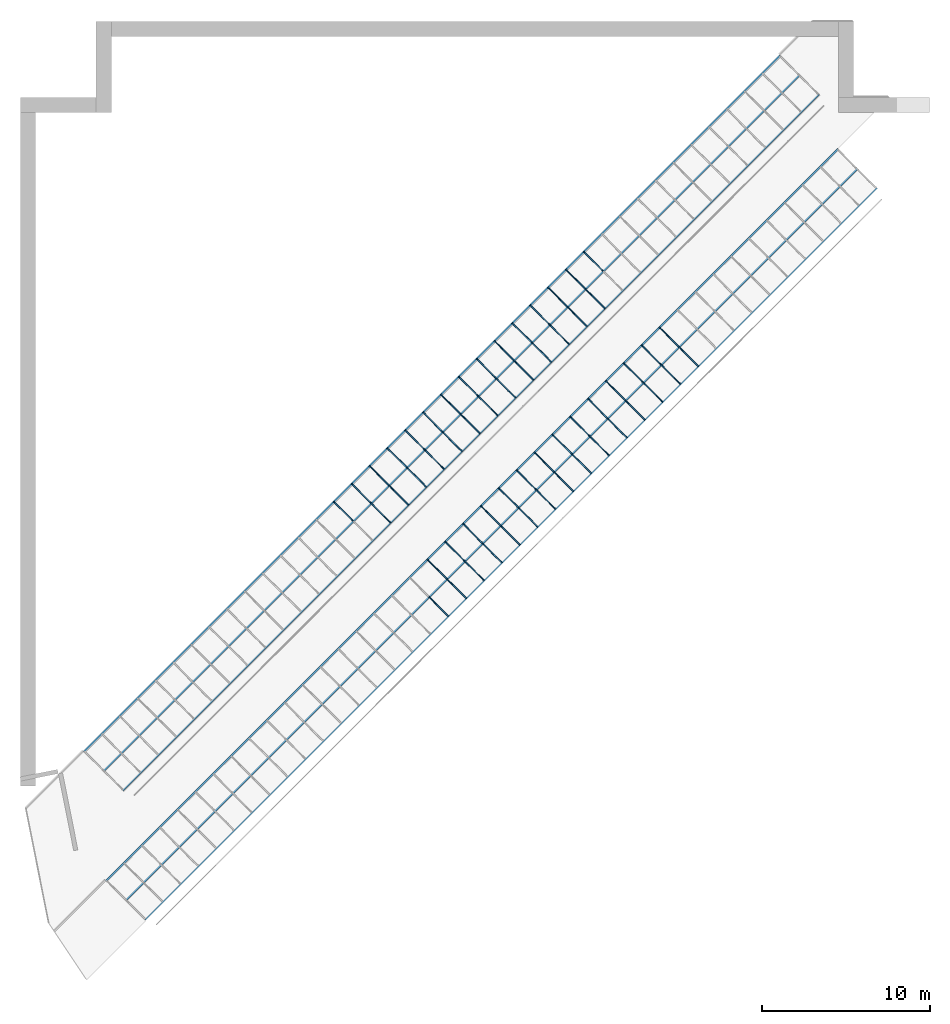
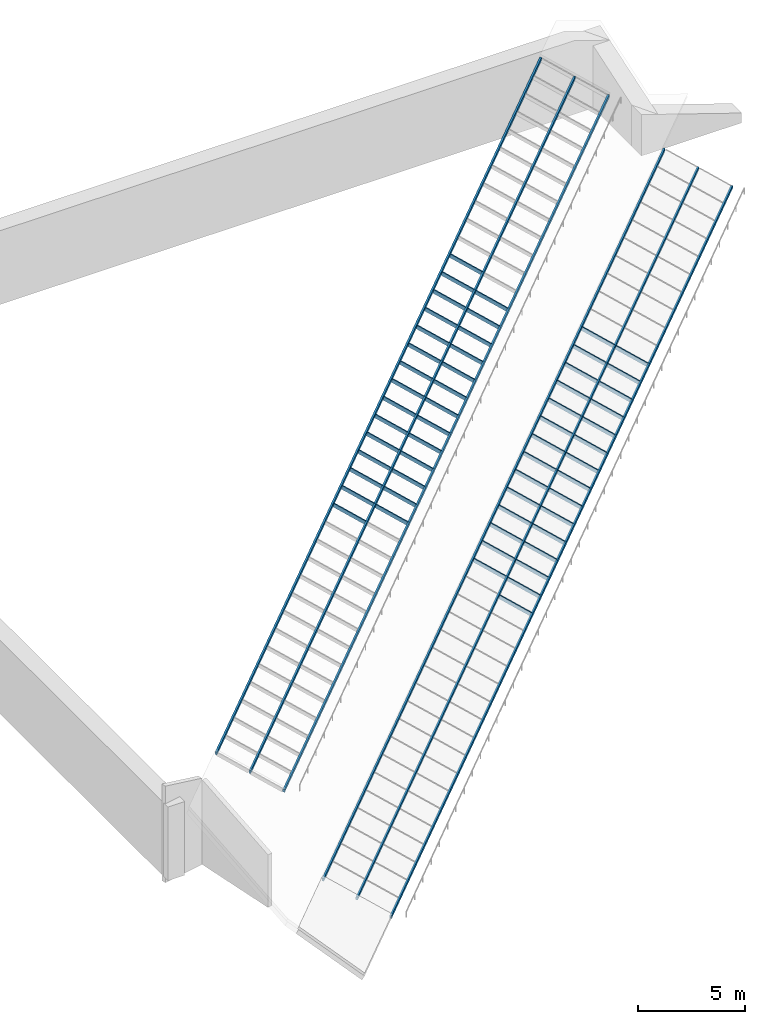
# One storey, part 2 of 7: 63 members, 2 elements without a shape of their own.
"""IFC4 building model written with IfcOpenShell, lengths in metres."""

from ifc_helpers import new_model, si_unit, direction, frame, origin, origin_2d, place, context, subcontext, project, spatial, rectangle, extrude, material, material_profile, profile_set, type_object, element, aggregate, save


model = new_model("IFC4")

# Units and contexts
model_context = context("Model", 3, precision=1e-05, world=origin(), true_north=direction((0.0, 1.0)))
body_context = subcontext(model_context, "Body", "Model", "MODEL_VIEW")
ifc_project = project(units=[si_unit("LENGTHUNIT", "METRE"), si_unit("AREAUNIT", "SQUARE_METRE"), si_unit("VOLUMEUNIT", "CUBIC_METRE"), si_unit("PLANEANGLEUNIT", "RADIAN"), si_unit("MASSUNIT", "GRAM", prefix="KILO")], contexts=[model_context])

# Site, building, storey
site_placement = place(None, origin())
site = spatial("IfcSite", under=ifc_project, at=site_placement, CompositionType="ELEMENT")
building_placement = place(site_placement, origin())
building = spatial("IfcBuilding", under=site, at=building_placement, Name="Hunhe Ridgeline Campus", CompositionType="ELEMENT")
storey_placement = place(building_placement, frame((0.0, 0.0, 315.60009765625)))
storey = spatial("IfcBuildingStorey", under=building, at=storey_placement, Name="L81 Crown", CompositionType="ELEMENT", Elevation=315.60009765625)

# Curtain wall, members
ifc_material = material(Name="Aluminium 6063", Category="aluminium")
curtain_wall_type = type_object("IfcCurtainWallType", Name="Curtain wall CW-6", PredefinedType="NOTDEFINED", material=ifc_material)
curtain_wall_1_placement = place(storey_placement, origin())
curtain_wall_1 = element("IfcCurtainWall", 1, at=curtain_wall_1_placement, inside=storey, type_object=curtain_wall_type, Name="Rooflight 3", PredefinedType="NOTDEFINED")
ifc_material_profile_1 = material_profile(ifc_material, rectangle(XDim=0.070068359375, YDim=0.199951171875, at=origin_2d()))
ifc_profile_set_1 = profile_set([ifc_material_profile_1], Name="Aluminium 6063")
member_type_1 = type_object("IfcMemberType", Name="CW-6 aluminium mullion", PredefinedType="MULLION", material=ifc_profile_set_1)
member_1_placement = place(storey_placement, frame((40.2353515625, 78.55859375, 0.1708984375), z_axis=(-0.639602149067, 0.639602149067, 0.426401432711), x_axis=(-0.707106781187, -0.707106781187, 0.0)))
member_1 = element("IfcMember", 2, at=member_1_placement, type_object=member_type_1, Name="E-L81 Crown-RL-03/M0-10", PredefinedType="MULLION", context=body_context, shape_type="SweptSolid", body=[
    extrude(rectangle(XDim=0.070068359375, YDim=0.199951171875, at=origin_2d()), origin(), (0.0, 0.0, 1.0), 1.693603515625),
])
member_2_placement = place(storey_placement, frame((39.1748046875, 77.497802734375, 0.1708984375), z_axis=(-0.639602149067, 0.639602149067, 0.426401432711), x_axis=(-0.707106781187, -0.707106781187, 0.0)))
member_2 = element("IfcMember", 3, at=member_2_placement, type_object=member_type_1, Name="E-L81 Crown-RL-03/M0-11", PredefinedType="MULLION", context=body_context, shape_type="SweptSolid", body=[
    extrude(rectangle(XDim=0.070068359375, YDim=0.199951171875, at=origin_2d()), origin(), (0.0, 0.0, 1.0), 1.693603515625),
])
member_3_placement = place(storey_placement, frame((38.114013671875, 76.437255859375, 0.1708984375), z_axis=(-0.639602149067, 0.639602149067, 0.426401432711), x_axis=(-0.707106781187, -0.707106781187, 0.0)))
member_3 = element("IfcMember", 4, at=member_3_placement, type_object=member_type_1, Name="E-L81 Crown-RL-03/M0-12", PredefinedType="MULLION", context=body_context, shape_type="SweptSolid", body=[
    extrude(rectangle(XDim=0.070068359375, YDim=0.199951171875, at=origin_2d()), origin(), (0.0, 0.0, 1.0), 1.693603515625),
])
member_4_placement = place(storey_placement, frame((37.053466796875, 75.37646484375, 0.1708984375), z_axis=(-0.639602149067, 0.639602149067, 0.426401432711), x_axis=(-0.707106781187, -0.707106781187, 0.0)))
member_4 = element("IfcMember", 5, at=member_4_placement, type_object=member_type_1, Name="E-L81 Crown-RL-03/M0-13", PredefinedType="MULLION", context=body_context, shape_type="SweptSolid", body=[
    extrude(rectangle(XDim=0.070068359375, YDim=0.199951171875, at=origin_2d()), origin(), (0.0, 0.0, 1.0), 1.693603515625),
])
member_5_placement = place(storey_placement, frame((35.992919921875, 74.31591796875, 0.1708984375), z_axis=(-0.639687317978, 0.63954317933, 0.426362119554), x_axis=(-0.707027102695, -0.707186450701, 0.0)))
member_5 = element("IfcMember", 6, at=member_5_placement, type_object=member_type_1, Name="E-L81 Crown-RL-03/M0-14", PredefinedType="MULLION", context=body_context, shape_type="SweptSolid", body=[
    extrude(rectangle(XDim=0.070068359375, YDim=0.199951171875, at=origin_2d()), origin(), (0.0, 0.0, 1.0), 1.69384765625),
])
member_6_placement = place(storey_placement, frame((34.93212890625, 73.255126953125, 0.1708984375), z_axis=(-0.639602149067, 0.639602149067, 0.426401432711), x_axis=(-0.707106781187, -0.707106781187, 0.0)))
member_6 = element("IfcMember", 7, at=member_6_placement, type_object=member_type_1, Name="E-L81 Crown-RL-03/M0-15", PredefinedType="MULLION", context=body_context, shape_type="SweptSolid", body=[
    extrude(rectangle(XDim=0.070068359375, YDim=0.199951171875, at=origin_2d()), origin(), (0.0, 0.0, 1.0), 1.693603515625),
])
member_7_placement = place(storey_placement, frame((33.87158203125, 72.194580078125, 0.1708984375), z_axis=(-0.639602149067, 0.639602149067, 0.426401432711), x_axis=(-0.707106781187, -0.707106781187, 0.0)))
member_7 = element("IfcMember", 8, at=member_7_placement, type_object=member_type_1, Name="E-L81 Crown-RL-03/M0-16", PredefinedType="MULLION", context=body_context, shape_type="SweptSolid", body=[
    extrude(rectangle(XDim=0.070068359375, YDim=0.199951171875, at=origin_2d()), origin(), (0.0, 0.0, 1.0), 1.693603515625),
])
member_8_placement = place(storey_placement, frame((32.810791015625, 71.1337890625, 0.1708984375), z_axis=(-0.639602149067, 0.639602149067, 0.426401432711), x_axis=(-0.707106781187, -0.707106781187, 0.0)))
member_8 = element("IfcMember", 9, at=member_8_placement, type_object=member_type_1, Name="E-L81 Crown-RL-03/M0-17", PredefinedType="MULLION", context=body_context, shape_type="SweptSolid", body=[
    extrude(rectangle(XDim=0.070068359375, YDim=0.199951171875, at=origin_2d()), origin(), (0.0, 0.0, 1.0), 1.693603515625),
])
member_9_placement = place(storey_placement, frame((31.750244140625, 70.0732421875, 0.1708984375), z_axis=(-0.639602149067, 0.639602149067, 0.426401432711), x_axis=(-0.707106781187, -0.707106781187, 0.0)))
member_9 = element("IfcMember", 10, at=member_9_placement, type_object=member_type_1, Name="E-L81 Crown-RL-03/M0-18", PredefinedType="MULLION", context=body_context, shape_type="SweptSolid", body=[
    extrude(rectangle(XDim=0.070068359375, YDim=0.199951171875, at=origin_2d()), origin(), (0.0, 0.0, 1.0), 1.693603515625),
])
member_10_placement = place(storey_placement, frame((30.689453125, 69.012451171875, 0.1708984375), z_axis=(-0.63954317933, 0.639687317978, 0.426362119554), x_axis=(-0.707186450701, -0.707027102695, 0.0)))
member_10 = element("IfcMember", 11, at=member_10_placement, type_object=member_type_1, Name="E-L81 Crown-RL-03/M0-19", PredefinedType="MULLION", context=body_context, shape_type="SweptSolid", body=[
    extrude(rectangle(XDim=0.070068359375, YDim=0.199951171875, at=origin_2d()), origin(), (0.0, 0.0, 1.0), 1.69384765625),
])
member_11_placement = place(storey_placement, frame((29.62890625, 67.951904296875, 0.1708984375), z_axis=(-0.639602149067, 0.639602149067, 0.426401432711), x_axis=(-0.707106781187, -0.707106781187, 0.0)))
member_11 = element("IfcMember", 12, at=member_11_placement, type_object=member_type_1, Name="E-L81 Crown-RL-03/M0-20", PredefinedType="MULLION", context=body_context, shape_type="SweptSolid", body=[
    extrude(rectangle(XDim=0.070068359375, YDim=0.199951171875, at=origin_2d()), origin(), (0.0, 0.0, 1.0), 1.693603515625),
])
member_12_placement = place(storey_placement, frame((28.568115234375, 66.89111328125, 0.1708984375), z_axis=(-0.63954317933, 0.639687317978, 0.426362119554), x_axis=(-0.707186450701, -0.707027102695, 0.0)))
member_12 = element("IfcMember", 13, at=member_12_placement, type_object=member_type_1, Name="E-L81 Crown-RL-03/M0-21", PredefinedType="MULLION", context=body_context, shape_type="SweptSolid", body=[
    extrude(rectangle(XDim=0.070068359375, YDim=0.199951171875, at=origin_2d()), origin(), (0.0, 0.0, 1.0), 1.69384765625),
])
member_13_placement = place(storey_placement, frame((27.507568359375, 65.83056640625, 0.1708984375), z_axis=(-0.639602149067, 0.639602149067, 0.426401432711), x_axis=(-0.707106781187, -0.707106781187, 0.0)))
member_13 = element("IfcMember", 14, at=member_13_placement, type_object=member_type_1, Name="E-L81 Crown-RL-03/M0-22", PredefinedType="MULLION", context=body_context, shape_type="SweptSolid", body=[
    extrude(rectangle(XDim=0.070068359375, YDim=0.199951171875, at=origin_2d()), origin(), (0.0, 0.0, 1.0), 1.693603515625),
])
member_14_placement = place(storey_placement, frame((26.44677734375, 64.77001953125, 0.1708984375), z_axis=(-0.639602149067, 0.639602149067, 0.426401432711), x_axis=(-0.707106781187, -0.707106781187, 0.0)))
member_14 = element("IfcMember", 15, at=member_14_placement, type_object=member_type_1, Name="E-L81 Crown-RL-03/M0-23", PredefinedType="MULLION", context=body_context, shape_type="SweptSolid", body=[
    extrude(rectangle(XDim=0.070068359375, YDim=0.199951171875, at=origin_2d()), origin(), (0.0, 0.0, 1.0), 1.693603515625),
])
member_15_placement = place(storey_placement, frame((25.38623046875, 63.709228515625, 0.1708984375), z_axis=(-0.639602149067, 0.639602149067, 0.426401432711), x_axis=(-0.707106781187, -0.707106781187, 0.0)))
member_15 = element("IfcMember", 16, at=member_15_placement, type_object=member_type_1, Name="E-L81 Crown-RL-03/M0-24", PredefinedType="MULLION", context=body_context, shape_type="SweptSolid", body=[
    extrude(rectangle(XDim=0.070068359375, YDim=0.199951171875, at=origin_2d()), origin(), (0.0, 0.0, 1.0), 1.693603515625),
])
member_16_placement = place(storey_placement, frame((39.08154296875, 79.71240234375, 0.9404296875), z_axis=(-0.639602149067, 0.639602149067, 0.426401432711), x_axis=(-0.707106781187, -0.707106781187, 0.0)))
member_16 = element("IfcMember", 17, at=member_16_placement, type_object=member_type_1, Name="E-L81 Crown-RL-03/M1-10", PredefinedType="MULLION", context=body_context, shape_type="SweptSolid", body=[
    extrude(rectangle(XDim=0.070068359375, YDim=0.199951171875, at=origin_2d()), origin(), (0.0, 0.0, 1.0), 1.693603515625),
])
member_17_placement = place(storey_placement, frame((38.020751953125, 78.65185546875, 0.9404296875), z_axis=(-0.639602149067, 0.639602149067, 0.426401432711), x_axis=(-0.707106781187, -0.707106781187, 0.0)))
member_17 = element("IfcMember", 18, at=member_17_placement, type_object=member_type_1, Name="E-L81 Crown-RL-03/M1-11", PredefinedType="MULLION", context=body_context, shape_type="SweptSolid", body=[
    extrude(rectangle(XDim=0.070068359375, YDim=0.199951171875, at=origin_2d()), origin(), (0.0, 0.0, 1.0), 1.693603515625),
])
member_18_placement = place(storey_placement, frame((36.960205078125, 77.591064453125, 0.9404296875), z_axis=(-0.639602149067, 0.639602149067, 0.426401432711), x_axis=(-0.707106781187, -0.707106781187, 0.0)))
member_18 = element("IfcMember", 19, at=member_18_placement, type_object=member_type_1, Name="E-L81 Crown-RL-03/M1-12", PredefinedType="MULLION", context=body_context, shape_type="SweptSolid", body=[
    extrude(rectangle(XDim=0.070068359375, YDim=0.199951171875, at=origin_2d()), origin(), (0.0, 0.0, 1.0), 1.693603515625),
])
member_19_placement = place(storey_placement, frame((35.8994140625, 76.530517578125, 0.9404296875), z_axis=(-0.639602149067, 0.639602149067, 0.426401432711), x_axis=(-0.707106781187, -0.707106781187, 0.0)))
member_19 = element("IfcMember", 20, at=member_19_placement, type_object=member_type_1, Name="E-L81 Crown-RL-03/M1-13", PredefinedType="MULLION", context=body_context, shape_type="SweptSolid", body=[
    extrude(rectangle(XDim=0.070068359375, YDim=0.199951171875, at=origin_2d()), origin(), (0.0, 0.0, 1.0), 1.693603515625),
])
member_20_placement = place(storey_placement, frame((34.8388671875, 75.4697265625, 0.9404296875), z_axis=(-0.63954317933, 0.639687317978, 0.426362119554), x_axis=(-0.707186450701, -0.707027102695, 0.0)))
member_20 = element("IfcMember", 21, at=member_20_placement, type_object=member_type_1, Name="E-L81 Crown-RL-03/M1-14", PredefinedType="MULLION", context=body_context, shape_type="SweptSolid", body=[
    extrude(rectangle(XDim=0.070068359375, YDim=0.199951171875, at=origin_2d()), origin(), (0.0, 0.0, 1.0), 1.69384765625),
])
member_21_placement = place(storey_placement, frame((33.778076171875, 74.4091796875, 0.9404296875), z_axis=(-0.639602149067, 0.639602149067, 0.426401432711), x_axis=(-0.707106781187, -0.707106781187, 0.0)))
member_21 = element("IfcMember", 22, at=member_21_placement, type_object=member_type_1, Name="E-L81 Crown-RL-03/M1-15", PredefinedType="MULLION", context=body_context, shape_type="SweptSolid", body=[
    extrude(rectangle(XDim=0.070068359375, YDim=0.199951171875, at=origin_2d()), origin(), (0.0, 0.0, 1.0), 1.693603515625),
])
member_22_placement = place(storey_placement, frame((32.717529296875, 73.3486328125, 0.9404296875), z_axis=(-0.639602149067, 0.639602149067, 0.426401432711), x_axis=(-0.707106781187, -0.707106781187, 0.0)))
member_22 = element("IfcMember", 23, at=member_22_placement, type_object=member_type_1, Name="E-L81 Crown-RL-03/M1-16", PredefinedType="MULLION", context=body_context, shape_type="SweptSolid", body=[
    extrude(rectangle(XDim=0.070068359375, YDim=0.199951171875, at=origin_2d()), origin(), (0.0, 0.0, 1.0), 1.693603515625),
])
member_23_placement = place(storey_placement, frame((31.65673828125, 72.287841796875, 0.9404296875), z_axis=(-0.639602149067, 0.639602149067, 0.426401432711), x_axis=(-0.707106781187, -0.707106781187, 0.0)))
member_23 = element("IfcMember", 24, at=member_23_placement, type_object=member_type_1, Name="E-L81 Crown-RL-03/M1-17", PredefinedType="MULLION", context=body_context, shape_type="SweptSolid", body=[
    extrude(rectangle(XDim=0.070068359375, YDim=0.199951171875, at=origin_2d()), origin(), (0.0, 0.0, 1.0), 1.693603515625),
])
member_24_placement = place(storey_placement, frame((30.59619140625, 71.227294921875, 0.9404296875), z_axis=(-0.639602149067, 0.639602149067, 0.426401432711), x_axis=(-0.707106781187, -0.707106781187, 0.0)))
member_24 = element("IfcMember", 25, at=member_24_placement, type_object=member_type_1, Name="E-L81 Crown-RL-03/M1-18", PredefinedType="MULLION", context=body_context, shape_type="SweptSolid", body=[
    extrude(rectangle(XDim=0.070068359375, YDim=0.199951171875, at=origin_2d()), origin(), (0.0, 0.0, 1.0), 1.693603515625),
])
member_25_placement = place(storey_placement, frame((29.535400390625, 70.16650390625, 0.9404296875), z_axis=(-0.639602149067, 0.639602149067, 0.426401432711), x_axis=(-0.707106781187, -0.707106781187, 0.0)))
member_25 = element("IfcMember", 26, at=member_25_placement, type_object=member_type_1, Name="E-L81 Crown-RL-03/M1-19", PredefinedType="MULLION", context=body_context, shape_type="SweptSolid", body=[
    extrude(rectangle(XDim=0.070068359375, YDim=0.199951171875, at=origin_2d()), origin(), (0.0, 0.0, 1.0), 1.693603515625),
])
member_26_placement = place(storey_placement, frame((28.474853515625, 69.10595703125, 0.9404296875), z_axis=(-0.639602149067, 0.639602149067, 0.426401432711), x_axis=(-0.707106781187, -0.707106781187, 0.0)))
member_26 = element("IfcMember", 27, at=member_26_placement, type_object=member_type_1, Name="E-L81 Crown-RL-03/M1-20", PredefinedType="MULLION", context=body_context, shape_type="SweptSolid", body=[
    extrude(rectangle(XDim=0.070068359375, YDim=0.199951171875, at=origin_2d()), origin(), (0.0, 0.0, 1.0), 1.693603515625),
])
member_27_placement = place(storey_placement, frame((27.414306640625, 68.045166015625, 0.9404296875), z_axis=(-0.639687317978, 0.63954317933, 0.426362119554), x_axis=(-0.707027102695, -0.707186450701, 0.0)))
member_27 = element("IfcMember", 28, at=member_27_placement, type_object=member_type_1, Name="E-L81 Crown-RL-03/M1-21", PredefinedType="MULLION", context=body_context, shape_type="SweptSolid", body=[
    extrude(rectangle(XDim=0.070068359375, YDim=0.199951171875, at=origin_2d()), origin(), (0.0, 0.0, 1.0), 1.69384765625),
])
member_28_placement = place(storey_placement, frame((26.353515625, 66.984619140625, 0.9404296875), z_axis=(-0.639602149067, 0.639602149067, 0.426401432711), x_axis=(-0.707106781187, -0.707106781187, 0.0)))
member_28 = element("IfcMember", 29, at=member_28_placement, type_object=member_type_1, Name="E-L81 Crown-RL-03/M1-22", PredefinedType="MULLION", context=body_context, shape_type="SweptSolid", body=[
    extrude(rectangle(XDim=0.070068359375, YDim=0.199951171875, at=origin_2d()), origin(), (0.0, 0.0, 1.0), 1.693603515625),
])
member_29_placement = place(storey_placement, frame((25.29296875, 65.923828125, 0.9404296875), z_axis=(-0.639602149067, 0.639602149067, 0.426401432711), x_axis=(-0.707106781187, -0.707106781187, 0.0)))
member_29 = element("IfcMember", 30, at=member_29_placement, type_object=member_type_1, Name="E-L81 Crown-RL-03/M1-23", PredefinedType="MULLION", context=body_context, shape_type="SweptSolid", body=[
    extrude(rectangle(XDim=0.070068359375, YDim=0.199951171875, at=origin_2d()), origin(), (0.0, 0.0, 1.0), 1.693603515625),
])

curtain_wall_2_placement = place(storey_placement, origin())
curtain_wall_2 = element("IfcCurtainWall", 31, at=curtain_wall_2_placement, inside=storey, type_object=curtain_wall_type, Name="Rooflight 4", PredefinedType="NOTDEFINED")
member_30_placement = place(storey_placement, frame((34.6748046875, 81.997802734375, 3.171142578125), z_axis=(-0.639602149067, 0.639602149067, 0.426401432711), x_axis=(-0.707106781187, -0.707106781187, 0.0)))
member_30 = element("IfcMember", 32, at=member_30_placement, type_object=member_type_1, Name="E-L81 Crown-RL-04/M0-12", PredefinedType="MULLION", context=body_context, shape_type="SweptSolid", body=[
    extrude(rectangle(XDim=0.070068359375, YDim=0.199951171875, at=origin_2d()), origin(), (0.0, 0.0, 1.0), 1.693603515625),
])
member_31_placement = place(storey_placement, frame((33.614013671875, 80.937255859375, 3.171142578125), z_axis=(-0.639602149067, 0.639602149067, 0.426401432711), x_axis=(-0.707106781187, -0.707106781187, 0.0)))
member_31 = element("IfcMember", 33, at=member_31_placement, type_object=member_type_1, Name="E-L81 Crown-RL-04/M0-13", PredefinedType="MULLION", context=body_context, shape_type="SweptSolid", body=[
    extrude(rectangle(XDim=0.070068359375, YDim=0.199951171875, at=origin_2d()), origin(), (0.0, 0.0, 1.0), 1.693603515625),
])
member_32_placement = place(storey_placement, frame((32.553466796875, 79.87646484375, 3.171142578125), z_axis=(-0.639602149067, 0.639602149067, 0.426401432711), x_axis=(-0.707106781187, -0.707106781187, 0.0)))
member_32 = element("IfcMember", 34, at=member_32_placement, type_object=member_type_1, Name="E-L81 Crown-RL-04/M0-14", PredefinedType="MULLION", context=body_context, shape_type="SweptSolid", body=[
    extrude(rectangle(XDim=0.070068359375, YDim=0.199951171875, at=origin_2d()), origin(), (0.0, 0.0, 1.0), 1.693603515625),
])
member_33_placement = place(storey_placement, frame((31.492919921875, 78.81591796875, 3.171142578125), z_axis=(-0.639687317978, 0.63954317933, 0.426362119554), x_axis=(-0.707027102695, -0.707186450701, 0.0)))
member_33 = element("IfcMember", 35, at=member_33_placement, type_object=member_type_1, Name="E-L81 Crown-RL-04/M0-15", PredefinedType="MULLION", context=body_context, shape_type="SweptSolid", body=[
    extrude(rectangle(XDim=0.070068359375, YDim=0.199951171875, at=origin_2d()), origin(), (0.0, 0.0, 1.0), 1.69384765625),
])
member_34_placement = place(storey_placement, frame((30.43212890625, 77.755126953125, 3.171142578125), z_axis=(-0.639602149067, 0.639602149067, 0.426401432711), x_axis=(-0.707106781187, -0.707106781187, 0.0)))
member_34 = element("IfcMember", 36, at=member_34_placement, type_object=member_type_1, Name="E-L81 Crown-RL-04/M0-16", PredefinedType="MULLION", context=body_context, shape_type="SweptSolid", body=[
    extrude(rectangle(XDim=0.070068359375, YDim=0.199951171875, at=origin_2d()), origin(), (0.0, 0.0, 1.0), 1.693603515625),
])
member_35_placement = place(storey_placement, frame((29.37158203125, 76.694580078125, 3.171142578125), z_axis=(-0.639602149067, 0.639602149067, 0.426401432711), x_axis=(-0.707106781187, -0.707106781187, 0.0)))
member_35 = element("IfcMember", 37, at=member_35_placement, type_object=member_type_1, Name="E-L81 Crown-RL-04/M0-17", PredefinedType="MULLION", context=body_context, shape_type="SweptSolid", body=[
    extrude(rectangle(XDim=0.070068359375, YDim=0.199951171875, at=origin_2d()), origin(), (0.0, 0.0, 1.0), 1.693603515625),
])
member_36_placement = place(storey_placement, frame((28.310791015625, 75.6337890625, 3.171142578125), z_axis=(-0.639602149067, 0.639602149067, 0.426401432711), x_axis=(-0.707106781187, -0.707106781187, 0.0)))
member_36 = element("IfcMember", 38, at=member_36_placement, type_object=member_type_1, Name="E-L81 Crown-RL-04/M0-18", PredefinedType="MULLION", context=body_context, shape_type="SweptSolid", body=[
    extrude(rectangle(XDim=0.070068359375, YDim=0.199951171875, at=origin_2d()), origin(), (0.0, 0.0, 1.0), 1.693603515625),
])
member_37_placement = place(storey_placement, frame((27.250244140625, 74.5732421875, 3.171142578125), z_axis=(-0.639602149067, 0.639602149067, 0.426401432711), x_axis=(-0.707106781187, -0.707106781187, 0.0)))
member_37 = element("IfcMember", 39, at=member_37_placement, type_object=member_type_1, Name="E-L81 Crown-RL-04/M0-19", PredefinedType="MULLION", context=body_context, shape_type="SweptSolid", body=[
    extrude(rectangle(XDim=0.070068359375, YDim=0.199951171875, at=origin_2d()), origin(), (0.0, 0.0, 1.0), 1.693603515625),
])
member_38_placement = place(storey_placement, frame((26.189453125, 73.512451171875, 3.171142578125), z_axis=(-0.63954317933, 0.639687317978, 0.426362119554), x_axis=(-0.707186450701, -0.707027102695, 0.0)))
member_38 = element("IfcMember", 40, at=member_38_placement, type_object=member_type_1, Name="E-L81 Crown-RL-04/M0-20", PredefinedType="MULLION", context=body_context, shape_type="SweptSolid", body=[
    extrude(rectangle(XDim=0.070068359375, YDim=0.199951171875, at=origin_2d()), origin(), (0.0, 0.0, 1.0), 1.69384765625),
])
member_39_placement = place(storey_placement, frame((25.12890625, 72.451904296875, 3.171142578125), z_axis=(-0.639602149067, 0.639602149067, 0.426401432711), x_axis=(-0.707106781187, -0.707106781187, 0.0)))
member_39 = element("IfcMember", 41, at=member_39_placement, type_object=member_type_1, Name="E-L81 Crown-RL-04/M0-21", PredefinedType="MULLION", context=body_context, shape_type="SweptSolid", body=[
    extrude(rectangle(XDim=0.070068359375, YDim=0.199951171875, at=origin_2d()), origin(), (0.0, 0.0, 1.0), 1.693603515625),
])
member_40_placement = place(storey_placement, frame((24.068115234375, 71.39111328125, 3.171142578125), z_axis=(-0.63954317933, 0.639687317978, 0.426362119554), x_axis=(-0.707186450701, -0.707027102695, 0.0)))
member_40 = element("IfcMember", 42, at=member_40_placement, type_object=member_type_1, Name="E-L81 Crown-RL-04/M0-22", PredefinedType="MULLION", context=body_context, shape_type="SweptSolid", body=[
    extrude(rectangle(XDim=0.070068359375, YDim=0.199951171875, at=origin_2d()), origin(), (0.0, 0.0, 1.0), 1.69384765625),
])
member_41_placement = place(storey_placement, frame((23.007568359375, 70.33056640625, 3.171142578125), z_axis=(-0.639602149067, 0.639602149067, 0.426401432711), x_axis=(-0.707106781187, -0.707106781187, 0.0)))
member_41 = element("IfcMember", 43, at=member_41_placement, type_object=member_type_1, Name="E-L81 Crown-RL-04/M0-23", PredefinedType="MULLION", context=body_context, shape_type="SweptSolid", body=[
    extrude(rectangle(XDim=0.070068359375, YDim=0.199951171875, at=origin_2d()), origin(), (0.0, 0.0, 1.0), 1.693603515625),
])
member_42_placement = place(storey_placement, frame((21.94677734375, 69.27001953125, 3.171142578125), z_axis=(-0.639602149067, 0.639602149067, 0.426401432711), x_axis=(-0.707106781187, -0.707106781187, 0.0)))
member_42 = element("IfcMember", 44, at=member_42_placement, type_object=member_type_1, Name="E-L81 Crown-RL-04/M0-24", PredefinedType="MULLION", context=body_context, shape_type="SweptSolid", body=[
    extrude(rectangle(XDim=0.070068359375, YDim=0.199951171875, at=origin_2d()), origin(), (0.0, 0.0, 1.0), 1.693603515625),
])
member_43_placement = place(storey_placement, frame((34.58154296875, 84.21240234375, 3.9404296875), z_axis=(-0.639602149067, 0.639602149067, 0.426401432711), x_axis=(-0.707106781187, -0.707106781187, 0.0)))
member_43 = element("IfcMember", 45, at=member_43_placement, type_object=member_type_1, Name="E-L81 Crown-RL-04/M1-11", PredefinedType="MULLION", context=body_context, shape_type="SweptSolid", body=[
    extrude(rectangle(XDim=0.070068359375, YDim=0.199951171875, at=origin_2d()), origin(), (0.0, 0.0, 1.0), 1.693603515625),
])
member_44_placement = place(storey_placement, frame((33.520751953125, 83.15185546875, 3.9404296875), z_axis=(-0.639602149067, 0.639602149067, 0.426401432711), x_axis=(-0.707106781187, -0.707106781187, 0.0)))
member_44 = element("IfcMember", 46, at=member_44_placement, type_object=member_type_1, Name="E-L81 Crown-RL-04/M1-12", PredefinedType="MULLION", context=body_context, shape_type="SweptSolid", body=[
    extrude(rectangle(XDim=0.070068359375, YDim=0.199951171875, at=origin_2d()), origin(), (0.0, 0.0, 1.0), 1.693603515625),
])
member_45_placement = place(storey_placement, frame((32.460205078125, 82.091064453125, 3.9404296875), z_axis=(-0.639602149067, 0.639602149067, 0.426401432711), x_axis=(-0.707106781187, -0.707106781187, 0.0)))
member_45 = element("IfcMember", 47, at=member_45_placement, type_object=member_type_1, Name="E-L81 Crown-RL-04/M1-13", PredefinedType="MULLION", context=body_context, shape_type="SweptSolid", body=[
    extrude(rectangle(XDim=0.070068359375, YDim=0.199951171875, at=origin_2d()), origin(), (0.0, 0.0, 1.0), 1.693603515625),
])
member_46_placement = place(storey_placement, frame((31.3994140625, 81.030517578125, 3.9404296875), z_axis=(-0.639602149067, 0.639602149067, 0.426401432711), x_axis=(-0.707106781187, -0.707106781187, 0.0)))
member_46 = element("IfcMember", 48, at=member_46_placement, type_object=member_type_1, Name="E-L81 Crown-RL-04/M1-14", PredefinedType="MULLION", context=body_context, shape_type="SweptSolid", body=[
    extrude(rectangle(XDim=0.070068359375, YDim=0.199951171875, at=origin_2d()), origin(), (0.0, 0.0, 1.0), 1.693603515625),
])
member_47_placement = place(storey_placement, frame((30.3388671875, 79.9697265625, 3.9404296875), z_axis=(-0.63954317933, 0.639687317978, 0.426362119554), x_axis=(-0.707186450701, -0.707027102695, 0.0)))
member_47 = element("IfcMember", 49, at=member_47_placement, type_object=member_type_1, Name="E-L81 Crown-RL-04/M1-15", PredefinedType="MULLION", context=body_context, shape_type="SweptSolid", body=[
    extrude(rectangle(XDim=0.070068359375, YDim=0.199951171875, at=origin_2d()), origin(), (0.0, 0.0, 1.0), 1.69384765625),
])
member_48_placement = place(storey_placement, frame((29.278076171875, 78.9091796875, 3.9404296875), z_axis=(-0.639602149067, 0.639602149067, 0.426401432711), x_axis=(-0.707106781187, -0.707106781187, 0.0)))
member_48 = element("IfcMember", 50, at=member_48_placement, type_object=member_type_1, Name="E-L81 Crown-RL-04/M1-16", PredefinedType="MULLION", context=body_context, shape_type="SweptSolid", body=[
    extrude(rectangle(XDim=0.070068359375, YDim=0.199951171875, at=origin_2d()), origin(), (0.0, 0.0, 1.0), 1.693603515625),
])
member_49_placement = place(storey_placement, frame((28.217529296875, 77.8486328125, 3.9404296875), z_axis=(-0.639602149067, 0.639602149067, 0.426401432711), x_axis=(-0.707106781187, -0.707106781187, 0.0)))
member_49 = element("IfcMember", 51, at=member_49_placement, type_object=member_type_1, Name="E-L81 Crown-RL-04/M1-17", PredefinedType="MULLION", context=body_context, shape_type="SweptSolid", body=[
    extrude(rectangle(XDim=0.070068359375, YDim=0.199951171875, at=origin_2d()), origin(), (0.0, 0.0, 1.0), 1.693603515625),
])
member_50_placement = place(storey_placement, frame((27.15673828125, 76.787841796875, 3.9404296875), z_axis=(-0.639602149067, 0.639602149067, 0.426401432711), x_axis=(-0.707106781187, -0.707106781187, 0.0)))
member_50 = element("IfcMember", 52, at=member_50_placement, type_object=member_type_1, Name="E-L81 Crown-RL-04/M1-18", PredefinedType="MULLION", context=body_context, shape_type="SweptSolid", body=[
    extrude(rectangle(XDim=0.070068359375, YDim=0.199951171875, at=origin_2d()), origin(), (0.0, 0.0, 1.0), 1.693603515625),
])
member_51_placement = place(storey_placement, frame((26.09619140625, 75.727294921875, 3.9404296875), z_axis=(-0.639602149067, 0.639602149067, 0.426401432711), x_axis=(-0.707106781187, -0.707106781187, 0.0)))
member_51 = element("IfcMember", 53, at=member_51_placement, type_object=member_type_1, Name="E-L81 Crown-RL-04/M1-19", PredefinedType="MULLION", context=body_context, shape_type="SweptSolid", body=[
    extrude(rectangle(XDim=0.070068359375, YDim=0.199951171875, at=origin_2d()), origin(), (0.0, 0.0, 1.0), 1.693603515625),
])
member_52_placement = place(storey_placement, frame((25.035400390625, 74.66650390625, 3.9404296875), z_axis=(-0.639602149067, 0.639602149067, 0.426401432711), x_axis=(-0.707106781187, -0.707106781187, 0.0)))
member_52 = element("IfcMember", 54, at=member_52_placement, type_object=member_type_1, Name="E-L81 Crown-RL-04/M1-20", PredefinedType="MULLION", context=body_context, shape_type="SweptSolid", body=[
    extrude(rectangle(XDim=0.070068359375, YDim=0.199951171875, at=origin_2d()), origin(), (0.0, 0.0, 1.0), 1.693603515625),
])
member_53_placement = place(storey_placement, frame((23.974853515625, 73.60595703125, 3.9404296875), z_axis=(-0.639602149067, 0.639602149067, 0.426401432711), x_axis=(-0.707106781187, -0.707106781187, 0.0)))
member_53 = element("IfcMember", 55, at=member_53_placement, type_object=member_type_1, Name="E-L81 Crown-RL-04/M1-21", PredefinedType="MULLION", context=body_context, shape_type="SweptSolid", body=[
    extrude(rectangle(XDim=0.070068359375, YDim=0.199951171875, at=origin_2d()), origin(), (0.0, 0.0, 1.0), 1.693603515625),
])
member_54_placement = place(storey_placement, frame((22.914306640625, 72.545166015625, 3.9404296875), z_axis=(-0.639687317978, 0.63954317933, 0.426362119554), x_axis=(-0.707027102695, -0.707186450701, 0.0)))
member_54 = element("IfcMember", 56, at=member_54_placement, type_object=member_type_1, Name="E-L81 Crown-RL-04/M1-22", PredefinedType="MULLION", context=body_context, shape_type="SweptSolid", body=[
    extrude(rectangle(XDim=0.070068359375, YDim=0.199951171875, at=origin_2d()), origin(), (0.0, 0.0, 1.0), 1.69384765625),
])
member_55_placement = place(storey_placement, frame((21.853515625, 71.484619140625, 3.9404296875), z_axis=(-0.639602149067, 0.639602149067, 0.426401432711), x_axis=(-0.707106781187, -0.707106781187, 0.0)))
member_55 = element("IfcMember", 57, at=member_55_placement, type_object=member_type_1, Name="E-L81 Crown-RL-04/M1-23", PredefinedType="MULLION", context=body_context, shape_type="SweptSolid", body=[
    extrude(rectangle(XDim=0.070068359375, YDim=0.199951171875, at=origin_2d()), origin(), (0.0, 0.0, 1.0), 1.693603515625),
])
member_56_placement = place(storey_placement, frame((20.79296875, 70.423828125, 3.9404296875), z_axis=(-0.639602149067, 0.639602149067, 0.426401432711), x_axis=(-0.707106781187, -0.707106781187, 0.0)))
member_56 = element("IfcMember", 58, at=member_56_placement, type_object=member_type_1, Name="E-L81 Crown-RL-04/M1-24", PredefinedType="MULLION", context=body_context, shape_type="SweptSolid", body=[
    extrude(rectangle(XDim=0.070068359375, YDim=0.199951171875, at=origin_2d()), origin(), (0.0, 0.0, 1.0), 1.693603515625),
])
member_57_placement = place(storey_placement, frame((19.732177734375, 69.36328125, 3.9404296875), z_axis=(-0.639602149067, 0.639602149067, 0.426401432711), x_axis=(-0.707106781187, -0.707106781187, 0.0)))
member_57 = element("IfcMember", 59, at=member_57_placement, type_object=member_type_1, Name="E-L81 Crown-RL-04/M1-25", PredefinedType="MULLION", context=body_context, shape_type="SweptSolid", body=[
    extrude(rectangle(XDim=0.070068359375, YDim=0.199951171875, at=origin_2d()), origin(), (0.0, 0.0, 1.0), 1.693603515625),
])

# Member
ifc_material_profile_2 = material_profile(ifc_material, rectangle(XDim=0.10009765625, YDim=0.159912109375, at=origin_2d()))
ifc_profile_set_2 = profile_set([ifc_material_profile_2], Name="Aluminium 6063")
member_type_2 = type_object("IfcMemberType", Name="CW-6 aluminium transom", PredefinedType="USERDEFINED", material=ifc_profile_set_2)
member_58_placement = place(storey_placement, frame((50.883544921875, 89.123779296875, 0.16552734375), z_axis=(-0.707106781187, -0.707106781187, 0.0), x_axis=(0.707106781187, -0.707106781187, 0.0)))
member_58 = element("IfcMember", 60, at=member_58_placement, type_object=member_type_2, Name="E-L81 Crown-RL-03/T0", ObjectType="TRANSOM", PredefinedType="USERDEFINED", context=body_context, shape_type="SweptSolid", body=[
    extrude(rectangle(XDim=0.10009765625, YDim=0.159912109375, at=origin_2d()), origin(), (0.0, 0.0, 1.0), 61.5),
])

member_59_placement = place(storey_placement, frame((49.7294921875, 90.277587890625, 0.934814453125), z_axis=(-0.707106781187, -0.707106781187, 0.0), x_axis=(0.707106781187, -0.707106781187, 0.0)))
member_59 = element("IfcMember", 61, at=member_59_placement, type_object=member_type_2, Name="E-L81 Crown-RL-03/T1", ObjectType="TRANSOM", PredefinedType="USERDEFINED", context=body_context, shape_type="SweptSolid", body=[
    extrude(rectangle(XDim=0.10009765625, YDim=0.159912109375, at=origin_2d()), origin(), (0.0, 0.0, 1.0), 61.5),
])

member_60_placement = place(storey_placement, frame((48.575439453125, 91.431640625, 1.704345703125), z_axis=(-0.707106781187, -0.707106781187, 0.0), x_axis=(0.707106781187, -0.707106781187, 0.0)))
member_60 = element("IfcMember", 62, at=member_60_placement, type_object=member_type_2, Name="E-L81 Crown-RL-03/T2", ObjectType="TRANSOM", PredefinedType="USERDEFINED", context=body_context, shape_type="SweptSolid", body=[
    extrude(rectangle(XDim=0.10009765625, YDim=0.159912109375, at=origin_2d()), origin(), (0.0, 0.0, 1.0), 61.5),
])

aggregate(curtain_wall_1, [member_58, member_59, member_60, member_1, member_2, member_3, member_4, member_5, member_6, member_7, member_8, member_9, member_10, member_11, member_12, member_13, member_14, member_15, member_16, member_17, member_18, member_19, member_20, member_21, member_22, member_23, member_24, member_25, member_26, member_27, member_28, member_29])

member_61_placement = place(storey_placement, frame((47.444091796875, 94.684326171875, 3.16552734375), z_axis=(-0.707106781187, -0.707106781187, 0.0), x_axis=(0.707106781187, -0.707106781187, 0.0)))
member_61 = element("IfcMember", 63, at=member_61_placement, type_object=member_type_2, Name="E-L81 Crown-RL-04/T0", ObjectType="TRANSOM", PredefinedType="USERDEFINED", context=body_context, shape_type="SweptSolid", body=[
    extrude(rectangle(XDim=0.10009765625, YDim=0.159912109375, at=origin_2d()), origin(), (0.0, 0.0, 1.0), 58.5),
])

member_62_placement = place(storey_placement, frame((46.2900390625, 95.83837890625, 3.93505859375), z_axis=(-0.707106781187, -0.707106781187, 0.0), x_axis=(0.707106781187, -0.707106781187, 0.0)))
member_62 = element("IfcMember", 64, at=member_62_placement, type_object=member_type_2, Name="E-L81 Crown-RL-04/T1", ObjectType="TRANSOM", PredefinedType="USERDEFINED", context=body_context, shape_type="SweptSolid", body=[
    extrude(rectangle(XDim=0.10009765625, YDim=0.159912109375, at=origin_2d()), origin(), (0.0, 0.0, 1.0), 58.5),
])

member_63_placement = place(storey_placement, frame((45.13623046875, 96.992431640625, 4.704345703125), z_axis=(-0.707108867851, -0.707104694516, 0.0), x_axis=(0.707104694516, -0.707108867851, 0.0)))
member_63 = element("IfcMember", 65, at=member_63_placement, type_object=member_type_2, Name="E-L81 Crown-RL-04/T2", ObjectType="TRANSOM", PredefinedType="USERDEFINED", context=body_context, shape_type="SweptSolid", body=[
    extrude(rectangle(XDim=0.10009765625, YDim=0.159912109375, at=origin_2d()), origin(), (0.0, 0.0, 1.0), 58.500244140625),
])

aggregate(curtain_wall_2, [member_61, member_62, member_63, member_30, member_31, member_32, member_33, member_34, member_35, member_36, member_37, member_38, member_39, member_40, member_41, member_42, member_43, member_44, member_45, member_46, member_47, member_48, member_49, member_50, member_51, member_52, member_53, member_54, member_55, member_56, member_57])

save(model, "model.ifc")
